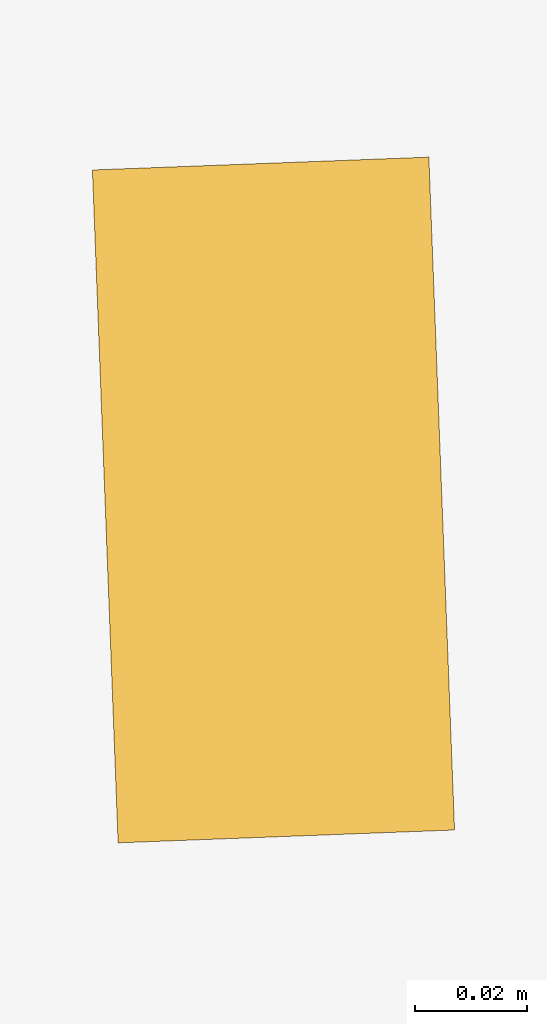
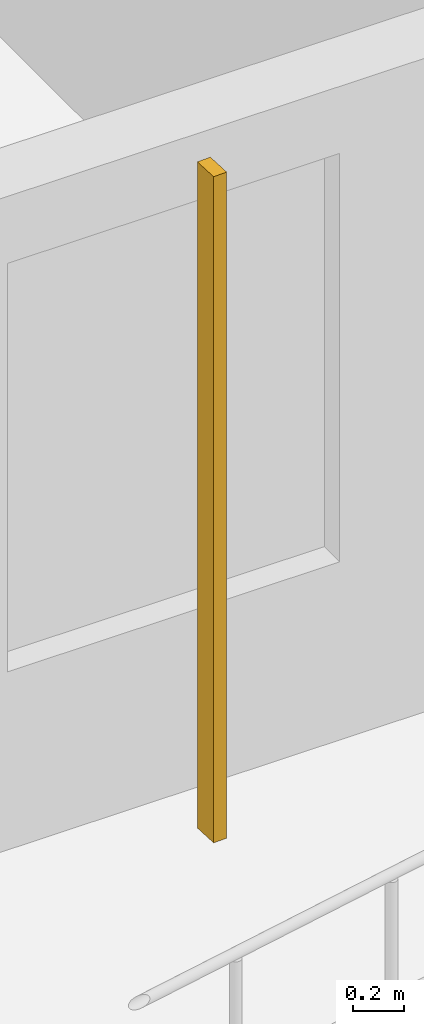
# One storey, part 16 of 24: 1 shading device.
"""IFC4 building model written with IfcOpenShell, lengths in metres."""

from ifc_helpers import new_model, si_unit, direction, frame, origin, origin_2d, place, context, subcontext, project, spatial, rectangle, extrude, source, transform, mapped, material, material_profile, profile_set, type_object, element, save


model = new_model("IFC4")

# Units and contexts
model_context = context("Model", 3, precision=1e-05, world=origin(), true_north=direction((0.0, 1.0)))
body_context = subcontext(model_context, "Body", "Model", "MODEL_VIEW")
ifc_project = project(units=[si_unit("LENGTHUNIT", "METRE"), si_unit("AREAUNIT", "SQUARE_METRE"), si_unit("VOLUMEUNIT", "CUBIC_METRE"), si_unit("PLANEANGLEUNIT", "RADIAN"), si_unit("MASSUNIT", "GRAM", prefix="KILO")], contexts=[model_context])

# Site, building, storey
site_placement = place(None, origin())
site = spatial("IfcSite", under=ifc_project, at=site_placement, CompositionType="ELEMENT")
building_placement = place(site_placement, origin())
building = spatial("IfcBuilding", under=site, at=building_placement, Name="Kilnfold Tower and Market Hall", CompositionType="ELEMENT")
storey_placement = place(building_placement, frame((0.0, 0.0, 175.300048828125)))
storey = spatial("IfcBuildingStorey", under=building, at=storey_placement, Name="L41", CompositionType="ELEMENT", Elevation=175.300048828125)

# Shading device
ifc_material = material(Name="Terracotta", Category="masonry")
ifc_material_profile = material_profile(ifc_material, rectangle(XDim=0.06005859375, YDim=0.1201171875, at=origin_2d()), Name="BAG 60x120")
ifc_profile_set = profile_set([ifc_material_profile], Name="Terracotta")
shading_device_type = type_object("IfcShadingDeviceType", Name="BAGUETTE", PredefinedType="USERDEFINED", material=ifc_profile_set)
shared_shape = source(origin(), body_context, "Body", "SweptSolid", [
    extrude(rectangle(XDim=0.06005859375, YDim=0.1201171875, at=origin_2d()), origin(), (0.0, 0.0, 1.0), 3.179931640625),
])
shading_device_placement = place(storey_placement, frame((4.4873046875, -26.550048828125, 0.0), z_axis=(0.0, 0.0, 1.0), x_axis=(0.999272599319, 0.038134921655, 0.0)))
element("IfcShadingDevice", 1, at=shading_device_placement, inside=storey, type_object=shading_device_type, Name="Terracotta baguette L41 S", ObjectType="BAGUETTE", PredefinedType="USERDEFINED", context=body_context, shape_type="MappedRepresentation", body=[
    mapped(shared_shape, transform((0.0, 0.0, 0.0))),
])

save(model, "model.ifc")
